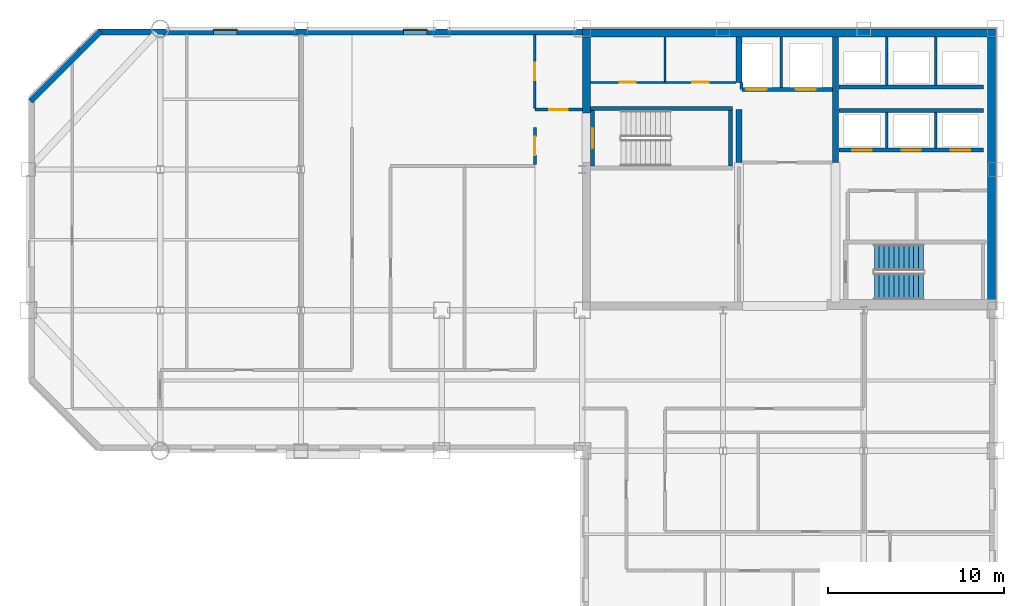
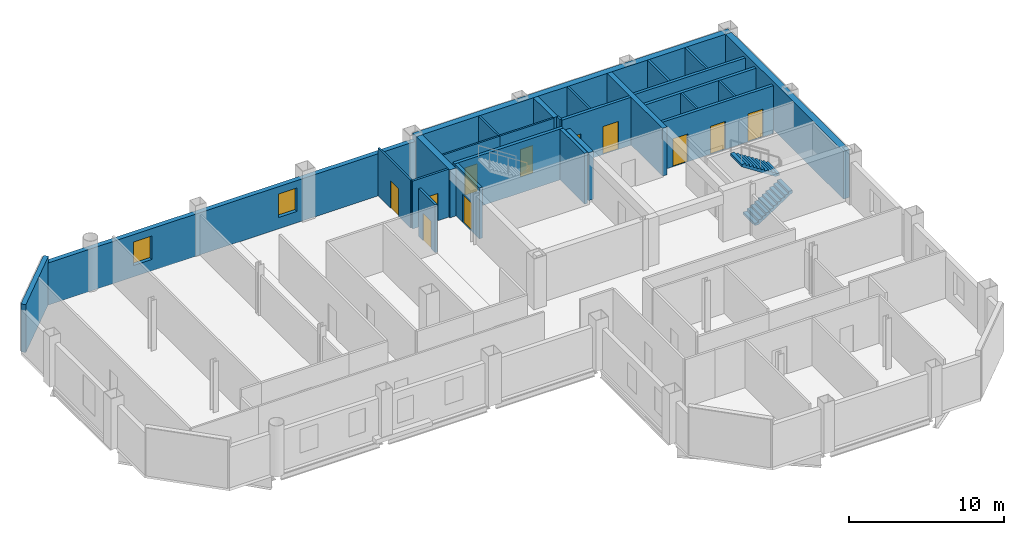
# One storey, part 6 of 11: 27 walls, 11 doors, 2 stair flights, 2 windows, 13 openings, 1 element without a shape of its own.
"""IFC4 building model written with IfcOpenShell, lengths in metres."""

from ifc_helpers import new_model, si_unit, direction, frame, frame_2d, origin, place, context, subcontext, project, spatial, polyline, rectangle, outline, extrude, material, layer, layer_set, type_object, element, fill, aggregate, save


model = new_model("IFC4")

# Units and contexts
model_context = context("Model", 3, precision=1e-05, world=origin(), true_north=direction((0.0, 1.0)))
body_context = subcontext(model_context, "Body", "Model", "MODEL_VIEW")
ifc_project = project(units=[si_unit("LENGTHUNIT", "METRE"), si_unit("AREAUNIT", "SQUARE_METRE"), si_unit("VOLUMEUNIT", "CUBIC_METRE"), si_unit("PLANEANGLEUNIT", "RADIAN"), si_unit("MASSUNIT", "GRAM", prefix="KILO")], contexts=[model_context])

# Site, building, storey
site_placement = place(None, origin())
site = spatial("IfcSite", under=ifc_project, at=site_placement, CompositionType="ELEMENT")
building_placement = place(site_placement, origin())
building = spatial("IfcBuilding", under=site, at=building_placement, Name="Qianrong Seaharbour Tower", CompositionType="ELEMENT")
storey_placement = place(building_placement, frame((0.0, 0.0, 265.800048828125)))
storey = spatial("IfcBuildingStorey", under=building, at=storey_placement, Name="L64", CompositionType="ELEMENT", Elevation=265.800048828125)

# Walls
ifc_material_1 = material(Name="Concrete C60/75", Category="concrete")
ifc_layer_1 = layer(ifc_material_1, 0.4599609375)
ifc_layer_set_1 = layer_set([ifc_layer_1], Name="Concrete C60/75")
wall_type_1 = type_object("IfcWallType", Name="WALL-CORE-460", PredefinedType="SHEAR", material=ifc_layer_set_1)
wall_1_placement = place(storey_placement, frame((40.5, 51.77001953125, 0.0), z_axis=(0.0, 0.0, 1.0), x_axis=(1.0, 0.0, 0.0)))
element("IfcWall", 1, at=wall_1_placement, inside=storey, type_object=wall_type_1, Name="L64 North Core Shear Wall", PredefinedType="SHEAR", context=body_context, shape_type="SweptSolid", body=[
    extrude(rectangle(XDim=23.5, YDim=0.4599609375, at=frame_2d((11.75, 0.0))), origin(), (0.0, 0.0, 1.0), 3.77490234375),
])
wall_2_placement = place(storey_placement, frame((63.77001953125, 36.320068359375, 0.0), z_axis=(0.0, 0.0, 1.0), x_axis=(0.0, 1.0, 0.0)))
element("IfcWall", 2, at=wall_2_placement, inside=storey, type_object=wall_type_1, Name="L64 East Core Shear Wall", PredefinedType="SHEAR", context=body_context, shape_type="SweptSolid", body=[
    extrude(rectangle(XDim=15.219970703125, YDim=0.4599609375, at=frame_2d((7.60986328125, 0.0))), origin(), (0.0, 0.0, 1.0), 3.77490234375),
])
wall_3_placement = place(storey_placement, frame((40.72998046875, 47.199951171875, 0.0), z_axis=(0.0, 0.0, 1.0), x_axis=(0.0, 1.0, 0.0)))
element("IfcWall", 3, at=wall_3_placement, inside=storey, type_object=wall_type_1, Name="L64 West Core Shear Wall North", PredefinedType="SHEAR", context=body_context, shape_type="SweptSolid", body=[
    extrude(rectangle(XDim=4.340087890625, YDim=0.4599609375, at=frame_2d((2.169921875, 0.0))), origin(), (0.0, 0.0, 1.0), 3.77490234375),
])
ifc_material_2 = material(Name="Concrete C50/60", Category="concrete")
ifc_layer_2 = layer(ifc_material_2, 0.35009765625)
ifc_layer_set_2 = layer_set([ifc_layer_2], Name="Concrete C50/60")
wall_type_2 = type_object("IfcWallType", Name="WALL-CORE-INT-350", PredefinedType="SHEAR", material=ifc_layer_set_2)
wall_4_placement = place(storey_placement, frame((49.39990234375, 44.39990234375, 0.0), z_axis=(0.0, 0.0, 1.0), x_axis=(0.0, 1.0, 0.0)))
element("IfcWall", 4, at=wall_4_placement, inside=storey, type_object=wall_type_2, Name="L64 Internal Core Shear Wall IW1N1", PredefinedType="SHEAR", context=body_context, shape_type="SweptSolid", body=[
    extrude(rectangle(XDim=3.0, YDim=0.35009765625, at=frame_2d((1.5, 0.0))), origin(), (0.0, 0.0, 1.0), 3.77490234375),
])
wall_5_placement = place(storey_placement, frame((49.39990234375, 48.949951171875, 0.0), z_axis=(0.0, 0.0, 1.0), x_axis=(0.0, 1.0, 0.0)))
element("IfcWall", 5, at=wall_5_placement, inside=storey, type_object=wall_type_2, Name="L64 Internal Core Shear Wall IW1N2", PredefinedType="SHEAR", context=body_context, shape_type="SweptSolid", body=[
    extrude(rectangle(XDim=2.590087890625, YDim=0.35009765625, at=frame_2d((1.294921875, 0.0))), origin(), (0.0, 0.0, 1.0), 3.77490234375),
])
wall_6_placement = place(storey_placement, frame((54.89990234375, 44.39990234375, 0.0), z_axis=(0.0, 0.0, 1.0), x_axis=(0.0, 1.0, 0.0)))
element("IfcWall", 6, at=wall_6_placement, inside=storey, type_object=wall_type_2, Name="L64 Internal Core Shear Wall IW2N", PredefinedType="SHEAR", context=body_context, shape_type="SweptSolid", body=[
    extrude(rectangle(XDim=7.14013671875, YDim=0.35009765625, at=frame_2d((3.570068359375, 0.0))), origin(), (0.0, 0.0, 1.0), 3.77490234375),
])

# Wall, opening, door
ifc_material_3 = material(Name="Fire-rated acoustic gypsum board partition")
ifc_layer_3 = layer(ifc_material_3, 0.1650390625)
ifc_layer_set_3 = layer_set([ifc_layer_3], Name="Fire-rated acoustic gypsum board partition")
wall_type_3 = type_object("IfcWallType", Name="WALL-CORR-PART-165", PredefinedType="PARTITIONING", material=ifc_layer_set_3)
wall_7_placement = place(storey_placement, frame((37.800048828125, 47.39990234375, 0.0), z_axis=(0.0, 0.0, 1.0), x_axis=(1.0, 0.0, 0.0)))
wall_7 = element("IfcWall", 7, at=wall_7_placement, inside=storey, type_object=wall_type_3, Name="L64 Interior Partition Wall 001", PredefinedType="PARTITIONING", context=body_context, shape_type="SweptSolid", body=[
    extrude(rectangle(XDim=2.699951171875, YDim=0.1650390625, at=frame_2d((1.35009765625, 0.0))), origin(), (0.0, 0.0, 1.0), 3.77490234375),
])
opening_1_placement = place(wall_7_placement, frame((0.824951171875, 0.0, 0.0)))
opening_1 = element("IfcOpeningElement", 8, at=opening_1_placement, cuts=wall_7, Name="Opening DC-01", PredefinedType="OPENING", context=body_context, shape_type="SweptSolid", body=[
    extrude(rectangle(XDim=1.050048828125, YDim=2.14990234375, at=frame_2d((0.52490234375, 1.074951171875))), frame((0.0, 0.092529296875, 0.0), z_axis=(0.0, -1.0, 0.0), x_axis=(1.0, 0.0, 0.0)), (0.0, 0.0, 1.0), 0.18505859375),
])
ifc_material_4 = material(Name="Acoustic timber and galvanized steel fire door assembly", Category="steel")
door_type_1 = type_object("IfcDoorType", Name="DOOR-CORR-FD60-1050x2150", OperationType="NOTDEFINED", PredefinedType="DOOR", material=ifc_material_4)
door_1_placement = place(opening_1_placement, origin())
door_1 = element("IfcDoor", 9, at=door_1_placement, inside=storey, type_object=door_type_1, Name="L64 Smokeproof Stair Vestibule ST-1 Door", OperationType="SINGLE_SWING_RIGHT", OverallHeight=2.14990234375, OverallWidth=1.050048828125, PredefinedType="DOOR", context=body_context, shape_type="SweptSolid", body=[
    extrude(rectangle(XDim=1.050048828125, YDim=2.14990234375, at=frame_2d((0.52490234375, 1.074951171875))), frame((0.0, 0.02490234375, 0.0), z_axis=(0.0, -1.0, 0.0), x_axis=(1.0, 0.0, 0.0)), (0.0, 0.0, 1.0), 0.050048828125),
])
fill(opening_1, door_1)

wall_8_placement = place(storey_placement, frame((37.800048828125, 44.2744140625, 0.0), z_axis=(0.0, 0.0, 1.0), x_axis=(0.0, 1.0, 0.0)))
wall_8 = element("IfcWall", 10, at=wall_8_placement, inside=storey, type_object=wall_type_3, Name="L64 Interior Partition Wall 002", PredefinedType="PARTITIONING", context=body_context, shape_type="SweptSolid", body=[
    extrude(rectangle(XDim=2.12548828125, YDim=0.1650390625, at=frame_2d((1.062744140625, 0.0))), origin(), (0.0, 0.0, 1.0), 3.77490234375),
])
opening_2_placement = place(wall_8_placement, frame((0.537841796875, 0.0, 0.0)))
opening_2 = element("IfcOpeningElement", 11, at=opening_2_placement, cuts=wall_8, Name="Opening DC-01", PredefinedType="OPENING", context=body_context, shape_type="SweptSolid", body=[
    extrude(rectangle(XDim=1.050048828125, YDim=2.14990234375, at=frame_2d((0.52490234375, 1.074951171875))), frame((0.0, 0.092529296875, 0.0), z_axis=(0.0, -1.0, 0.0), x_axis=(1.0, 0.0, 0.0)), (0.0, 0.0, 1.0), 0.18505859375),
])
door_2_placement = place(opening_2_placement, origin())
door_2 = element("IfcDoor", 12, at=door_2_placement, inside=storey, type_object=door_type_1, Name="L64 Smokeproof Stair Vestibule ST-1 Door", OperationType="SINGLE_SWING_LEFT", OverallHeight=2.14990234375, OverallWidth=1.050048828125, PredefinedType="DOOR", context=body_context, shape_type="SweptSolid", body=[
    extrude(rectangle(XDim=1.050048828125, YDim=2.14990234375, at=frame_2d((0.52490234375, 1.074951171875))), frame((0.0, 0.02490234375, 0.0), z_axis=(0.0, -1.0, 0.0), x_axis=(1.0, 0.0, 0.0)), (0.0, 0.0, 1.0), 0.050048828125),
])
fill(opening_2, door_2)

# Wall
ifc_material_5 = material(Name="Unitised buff brick on Precast concrete C45/55", Category="masonry")
ifc_layer_4 = layer(ifc_material_5, 0.340087890625)
ifc_layer_set_4 = layer_set([ifc_layer_4], Name="Unitised buff brick on Precast concrete C45/55")
wall_type_4 = type_object("IfcWallType", Name="WALL-EXT-BRICK-BUFF-340", PredefinedType="SOLIDWALL", material=ifc_layer_set_4)
wall_9_placement = place(storey_placement, frame((9.1201171875, 47.8798828125, 0.0), z_axis=(0.0, 0.0, 1.0), x_axis=(0.707106781187, 0.707106781187, 0.0)))
element("IfcWall", 13, at=wall_9_placement, inside=storey, type_object=wall_type_4, Name="L64 Exterior Masonry Facade Wall E04", PredefinedType="SOLIDWALL", context=body_context, shape_type="SweptSolid", body=[
    extrude(rectangle(XDim=5.65673828125, YDim=0.340087890625, at=frame_2d((2.828369140625, 0.0))), origin(), (0.0, 0.0, 1.0), 3.77490234375),
])

# Wall, openings, windows
wall_10_placement = place(storey_placement, frame((13.0, 51.830078125, 0.0), z_axis=(0.0, 0.0, 1.0), x_axis=(1.0, 0.0, 0.0)))
wall_10 = element("IfcWall", 14, at=wall_10_placement, inside=storey, type_object=wall_type_4, Name="L64 Exterior Masonry Facade Wall NORTH_WING", PredefinedType="SOLIDWALL", context=body_context, shape_type="SweptSolid", body=[
    extrude(rectangle(XDim=27.52001953125, YDim=0.340087890625, at=frame_2d((13.760009765625, 0.0))), origin(), (0.0, 0.0, 1.0), 3.324951171875),
])
opening_3_placement = place(wall_10_placement, frame((6.52490234375, 0.0, 0.89990234375)))
opening_3 = element("IfcOpeningElement", 15, at=opening_3_placement, cuts=wall_10, Name="Opening WN-02", PredefinedType="OPENING", context=body_context, shape_type="SweptSolid", body=[
    extrude(rectangle(XDim=1.35009765625, YDim=1.85009765625, at=frame_2d((0.675048828125, 0.925048828125))), frame((0.0, 0.18017578125, 0.0), z_axis=(0.0, -1.0, 0.0), x_axis=(1.0, 0.0, 0.0)), (0.0, 0.0, 1.0), 0.360107421875),
])
opening_4_placement = place(wall_10_placement, frame((17.324951171875, 0.0, 0.89990234375)))
opening_4 = element("IfcOpeningElement", 16, at=opening_4_placement, cuts=wall_10, Name="Opening WN-02", PredefinedType="OPENING", context=body_context, shape_type="SweptSolid", body=[
    extrude(rectangle(XDim=1.35009765625, YDim=1.85009765625, at=frame_2d((0.675048828125, 0.925048828125))), frame((0.0, 0.18017578125, 0.0), z_axis=(0.0, -1.0, 0.0), x_axis=(1.0, 0.0, 0.0)), (0.0, 0.0, 1.0), 0.360107421875),
])
ifc_material_6 = material(Name="Insulated low-e double glazing in thermally broken aluminium 6063-T6 frame", Category="aluminium")
window_type = type_object("IfcWindowType", Name="WIN-PUNCH-1350x1850", PartitioningType="DOUBLE_PANEL_VERTICAL", PredefinedType="WINDOW", material=ifc_material_6)
window_1_placement = place(opening_3_placement, origin())
window_1 = element("IfcWindow", 17, at=window_1_placement, inside=storey, type_object=window_type, Name="L64 Deep-Set Punched Window 05.02", OverallHeight=1.85009765625, OverallWidth=1.35009765625, PartitioningType="DOUBLE_PANEL_VERTICAL", PredefinedType="WINDOW", context=body_context, shape_type="SweptSolid", body=[
    extrude(rectangle(XDim=1.35009765625, YDim=1.85009765625, at=frame_2d((0.675048828125, 0.925048828125))), frame((0.0, 0.150146484375, 0.0), z_axis=(0.0, -1.0, 0.0), x_axis=(1.0, 0.0, 0.0)), (0.0, 0.0, 1.0), 0.06005859375),
])
fill(opening_3, window_1)
window_2_placement = place(opening_4_placement, origin())
window_2 = element("IfcWindow", 18, at=window_2_placement, inside=storey, type_object=window_type, Name="L64 Deep-Set Punched Window 05.05", OverallHeight=1.85009765625, OverallWidth=1.35009765625, PartitioningType="DOUBLE_PANEL_VERTICAL", PredefinedType="WINDOW", context=body_context, shape_type="SweptSolid", body=[
    extrude(rectangle(XDim=1.35009765625, YDim=1.85009765625, at=frame_2d((0.675048828125, 0.925048828125))), frame((0.0, 0.150146484375, 0.0), z_axis=(0.0, -1.0, 0.0), x_axis=(1.0, 0.0, 0.0)), (0.0, 0.0, 1.0), 0.06005859375),
])
fill(opening_4, window_2)

# Walls
ifc_material_7 = material(Name="Fire-rated gypsum board on steel studs", Category="steel")
ifc_layer_5 = layer(ifc_material_7, 0.14990234375)
ifc_layer_set_5 = layer_set([ifc_layer_5], Name="Fire-rated gypsum board on steel studs")
wall_type_5 = type_object("IfcWallType", Name="WALL-SHAFT-DIV-150", PredefinedType="PARTITIONING", material=ifc_layer_set_5)
wall_11_placement = place(storey_placement, frame((51.800048828125, 48.669921875, 0.0), z_axis=(0.0, 0.0, 1.0), x_axis=(0.0, 1.0, 0.0)))
element("IfcWall", 19, at=wall_11_placement, inside=storey, type_object=wall_type_5, Name="L64 Firefighting Lift Shaft Divider Wall", PredefinedType="PARTITIONING", context=body_context, shape_type="SweptSolid", body=[
    extrude(rectangle(XDim=2.8701171875, YDim=0.14990234375, at=frame_2d((1.43505859375, 0.0))), origin(), (0.0, 0.0, 1.0), 3.77490234375),
])
wall_12_placement = place(storey_placement, frame((49.550048828125, 48.550048828125, 0.0), z_axis=(0.0, 0.0, 1.0), x_axis=(0.0, 1.0, 0.0)))
element("IfcWall", 20, at=wall_12_placement, inside=storey, type_object=wall_type_5, Name="L64 Firefighting Lift Shaft West Return Wall", PredefinedType="PARTITIONING", context=body_context, shape_type="SweptSolid", body=[
    extrude(rectangle(XDim=0.39990234375, YDim=0.14990234375, at=frame_2d((0.199951171875, 0.0))), origin(), (0.0, 0.0, 1.0), 3.77490234375),
])
for number, where, z_axis, x_axis, name in (
    (21, (57.800048828125, 45.2099609375, 0.0), (0.0, 0.0, 1.0), (0.0, 1.0, 0.0), "L64 P3 Lift Hoistway Divider 2"),
    (22, (60.60009765625, 45.2099609375, 0.0), (0.0, 0.0, 1.0), (0.0, 1.0, 0.0), "L64 P3 Lift Hoistway Divider 3"),
):
    element("IfcWall", number, at=place(storey_placement, frame(where, z_axis=z_axis, x_axis=x_axis)), inside=storey, type_object=wall_type_5, Name=name, PredefinedType="PARTITIONING", context=body_context, shape_type="SweptSolid", body=[
        extrude(rectangle(XDim=2.030029296875, YDim=0.14990234375, at=frame_2d((1.01513671875, 0.0))), origin(), (0.0, 0.0, 1.0), 3.77490234375),
    ])
for number, where, z_axis, x_axis, name in (
    (23, (57.800048828125, 48.81005859375, 0.0), (0.0, 0.0, 1.0), (0.0, 1.0, 0.0), "L64 P4 Lift Hoistway Divider 2"),
    (24, (60.60009765625, 48.81005859375, 0.0), (0.0, 0.0, 1.0), (0.0, 1.0, 0.0), "L64 P4 Lift Hoistway Divider 3"),
):
    element("IfcWall", number, at=place(storey_placement, frame(where, z_axis=z_axis, x_axis=x_axis)), inside=storey, type_object=wall_type_5, Name=name, PredefinedType="PARTITIONING", context=body_context, shape_type="SweptSolid", body=[
        extrude(rectangle(XDim=2.72998046875, YDim=0.14990234375, at=frame_2d((1.364990234375, 0.0))), origin(), (0.0, 0.0, 1.0), 3.77490234375),
    ])

# Wall, openings, doors
ifc_layer_6 = layer(ifc_material_7, 0.219970703125)
ifc_layer_set_6 = layer_set([ifc_layer_6], Name="Fire-rated gypsum board on steel studs")
wall_type_6 = type_object("IfcWallType", Name="WALL-SHAFT-GYP220", PredefinedType="PARTITIONING", material=ifc_layer_set_6)
wall_13_placement = place(storey_placement, frame((54.7099609375, 48.550048828125, 0.0), z_axis=(0.0, 0.0, 1.0), x_axis=(-1.0, 0.0, 0.0)))
wall_13 = element("IfcWall", 25, at=wall_13_placement, inside=storey, type_object=wall_type_6, Name="L64 Firefighting Lift Shaft Front Wall", PredefinedType="PARTITIONING", context=body_context, shape_type="SweptSolid", body=[
    extrude(rectangle(XDim=5.119873046875, YDim=0.219970703125, at=frame_2d((2.56005859375, 0.0))), origin(), (0.0, 0.0, 1.0), 3.77490234375),
])
opening_5_placement = place(wall_13_placement, frame((3.735107421875, 0.0, 0.0)))
opening_5 = element("IfcOpeningElement", 26, at=opening_5_placement, cuts=wall_13, Name="Opening LD-01", PredefinedType="OPENING", context=body_context, shape_type="SweptSolid", body=[
    extrude(rectangle(XDim=1.14990234375, YDim=2.199951171875, at=frame_2d((0.574951171875, 1.10009765625))), frame((0.0, 0.1201171875, 0.0), z_axis=(0.0, -1.0, 0.0), x_axis=(1.0, 0.0, 0.0)), (0.0, 0.0, 1.0), 0.239990234375),
])
opening_6_placement = place(wall_13_placement, frame((0.93505859375, 0.0, 0.0)))
opening_6 = element("IfcOpeningElement", 27, at=opening_6_placement, cuts=wall_13, Name="Opening LD-01", PredefinedType="OPENING", context=body_context, shape_type="SweptSolid", body=[
    extrude(rectangle(XDim=1.14990234375, YDim=2.199951171875, at=frame_2d((0.574951171875, 1.10009765625))), frame((0.0, 0.1201171875, 0.0), z_axis=(0.0, -1.0, 0.0), x_axis=(1.0, 0.0, 0.0)), (0.0, 0.0, 1.0), 0.239990234375),
])
ifc_material_8 = material(Name="Stainless steel SUS316L bi-parting lift landing door", Category="steel")
door_type_2 = type_object("IfcDoorType", Name="DOOR-LIFT-FF-1150x2200", OperationType="DOUBLE_DOOR_SLIDING", PredefinedType="DOOR", material=ifc_material_8)
door_3_placement = place(opening_5_placement, origin())
door_3 = element("IfcDoor", 28, at=door_3_placement, inside=storey, type_object=door_type_2, Name="L64 FL-1 Firefighting Lift Landing Door", OperationType="DOUBLE_DOOR_SLIDING", OverallHeight=2.199951171875, OverallWidth=1.14990234375, PredefinedType="DOOR", context=body_context, shape_type="SweptSolid", body=[
    extrude(rectangle(XDim=1.14990234375, YDim=2.199951171875, at=frame_2d((0.574951171875, 1.10009765625))), frame((0.0, 0.02490234375, 0.0), z_axis=(0.0, -1.0, 0.0), x_axis=(1.0, 0.0, 0.0)), (0.0, 0.0, 1.0), 0.050048828125),
])
fill(opening_5, door_3)
door_4_placement = place(opening_6_placement, origin())
door_4 = element("IfcDoor", 29, at=door_4_placement, inside=storey, type_object=door_type_2, Name="L64 FL-2 Firefighting Lift Landing Door", OperationType="DOUBLE_DOOR_SLIDING", OverallHeight=2.199951171875, OverallWidth=1.14990234375, PredefinedType="DOOR", context=body_context, shape_type="SweptSolid", body=[
    extrude(rectangle(XDim=1.14990234375, YDim=2.199951171875, at=frame_2d((0.574951171875, 1.10009765625))), frame((0.0, 0.02490234375, 0.0), z_axis=(0.0, -1.0, 0.0), x_axis=(1.0, 0.0, 0.0)), (0.0, 0.0, 1.0), 0.050048828125),
])
fill(opening_6, door_4)

wall_14_placement = place(storey_placement, frame((63.320068359375, 45.10009765625, 0.0), z_axis=(0.0, 0.0, 1.0), x_axis=(-1.0, 0.0, 0.0)))
wall_14 = element("IfcWall", 30, at=wall_14_placement, inside=storey, type_object=wall_type_6, Name="L64 P3 Lift Hoistway Front Wall", PredefinedType="PARTITIONING", context=body_context, shape_type="SweptSolid", body=[
    extrude(rectangle(XDim=8.239990234375, YDim=0.219970703125, at=frame_2d((4.1201171875, 0.0))), origin(), (0.0, 0.0, 1.0), 3.77490234375),
])
opening_7_placement = place(wall_14_placement, frame((6.3701171875, 0.0, 0.0)))
opening_7 = element("IfcOpeningElement", 31, at=opening_7_placement, cuts=wall_14, Name="Opening LD-02", PredefinedType="OPENING", context=body_context, shape_type="SweptSolid", body=[
    extrude(rectangle(XDim=1.10009765625, YDim=2.199951171875, at=frame_2d((0.550048828125, 1.10009765625))), frame((0.0, 0.1201171875, 0.0), z_axis=(0.0, -1.0, 0.0), x_axis=(1.0, 0.0, 0.0)), (0.0, 0.0, 1.0), 0.239990234375),
])
opening_8_placement = place(wall_14_placement, frame((3.570068359375, 0.0, 0.0)))
opening_8 = element("IfcOpeningElement", 32, at=opening_8_placement, cuts=wall_14, Name="Opening LD-02", PredefinedType="OPENING", context=body_context, shape_type="SweptSolid", body=[
    extrude(rectangle(XDim=1.10009765625, YDim=2.199951171875, at=frame_2d((0.550048828125, 1.10009765625))), frame((0.0, 0.1201171875, 0.0), z_axis=(0.0, -1.0, 0.0), x_axis=(1.0, 0.0, 0.0)), (0.0, 0.0, 1.0), 0.239990234375),
])
opening_9_placement = place(wall_14_placement, frame((0.77001953125, 0.0, 0.0)))
opening_9 = element("IfcOpeningElement", 33, at=opening_9_placement, cuts=wall_14, Name="Opening LD-02", PredefinedType="OPENING", context=body_context, shape_type="SweptSolid", body=[
    extrude(rectangle(XDim=1.10009765625, YDim=2.199951171875, at=frame_2d((0.550048828125, 1.10009765625))), frame((0.0, 0.1201171875, 0.0), z_axis=(0.0, -1.0, 0.0), x_axis=(1.0, 0.0, 0.0)), (0.0, 0.0, 1.0), 0.239990234375),
])
door_type_3 = type_object("IfcDoorType", Name="DOOR-LIFT-PASS-1100x2200", OperationType="DOUBLE_DOOR_SLIDING", PredefinedType="DOOR", material=ifc_material_8)
door_5_placement = place(opening_7_placement, origin())
door_5 = element("IfcDoor", 34, at=door_5_placement, inside=storey, type_object=door_type_3, Name="L64 PL-3A Lift Landing Door", OperationType="DOUBLE_DOOR_SLIDING", OverallHeight=2.199951171875, OverallWidth=1.10009765625, PredefinedType="DOOR", context=body_context, shape_type="SweptSolid", body=[
    extrude(rectangle(XDim=1.10009765625, YDim=2.199951171875, at=frame_2d((0.550048828125, 1.10009765625))), frame((0.0, 0.02490234375, 0.0), z_axis=(0.0, -1.0, 0.0), x_axis=(1.0, 0.0, 0.0)), (0.0, 0.0, 1.0), 0.050048828125),
])
fill(opening_7, door_5)
door_6_placement = place(opening_8_placement, origin())
door_6 = element("IfcDoor", 35, at=door_6_placement, inside=storey, type_object=door_type_3, Name="L64 PL-3B Lift Landing Door", OperationType="DOUBLE_DOOR_SLIDING", OverallHeight=2.199951171875, OverallWidth=1.10009765625, PredefinedType="DOOR", context=body_context, shape_type="SweptSolid", body=[
    extrude(rectangle(XDim=1.10009765625, YDim=2.199951171875, at=frame_2d((0.550048828125, 1.10009765625))), frame((0.0, 0.02490234375, 0.0), z_axis=(0.0, -1.0, 0.0), x_axis=(1.0, 0.0, 0.0)), (0.0, 0.0, 1.0), 0.050048828125),
])
fill(opening_8, door_6)
door_7_placement = place(opening_9_placement, origin())
door_7 = element("IfcDoor", 36, at=door_7_placement, inside=storey, type_object=door_type_3, Name="L64 PL-3C Lift Landing Door", OperationType="DOUBLE_DOOR_SLIDING", OverallHeight=2.199951171875, OverallWidth=1.10009765625, PredefinedType="DOOR", context=body_context, shape_type="SweptSolid", body=[
    extrude(rectangle(XDim=1.10009765625, YDim=2.199951171875, at=frame_2d((0.550048828125, 1.10009765625))), frame((0.0, 0.02490234375, 0.0), z_axis=(0.0, -1.0, 0.0), x_axis=(1.0, 0.0, 0.0)), (0.0, 0.0, 1.0), 0.050048828125),
])
fill(opening_9, door_7)

# Walls
for number, where, z_axis, x_axis, name in (
    (37, (55.080078125, 47.35009765625, 0.0), (0.0, 0.0, 1.0), (1.0, 0.0, 0.0), "L64 P3 Lift Hoistway Back Wall"),
    (38, (63.320068359375, 48.699951171875, 0.0), (0.0, 0.0, 1.0), (-1.0, 0.0, 0.0), "L64 P4 Lift Hoistway Front Wall"),
):
    element("IfcWall", number, at=place(storey_placement, frame(where, z_axis=z_axis, x_axis=x_axis)), inside=storey, type_object=wall_type_6, Name=name, PredefinedType="PARTITIONING", context=body_context, shape_type="SweptSolid", body=[
        extrude(rectangle(XDim=8.239990234375, YDim=0.219970703125, at=frame_2d((4.1201171875, 0.0))), origin(), (0.0, 0.0, 1.0), 3.77490234375),
    ])
ifc_layer_7 = layer(ifc_material_2, 0.239990234375)
ifc_layer_set_7 = layer_set([ifc_layer_7], Name="Concrete C50/60")
wall_type_7 = type_object("IfcWallType", Name="WALL-SHAFT-RC240", PredefinedType="SOLIDWALL", material=ifc_layer_set_7)
wall_15_placement = place(storey_placement, frame((40.9599609375, 47.469970703125, 0.0), z_axis=(0.0, 0.0, 1.0), x_axis=(1.0, 0.0, 0.0)))
element("IfcWall", 39, at=wall_15_placement, inside=storey, type_object=wall_type_7, Name="L64 ST-1 Structural Stair Core Wall N", PredefinedType="SOLIDWALL", context=body_context, shape_type="SweptSolid", body=[
    extrude(rectangle(XDim=8.080078125, YDim=0.239990234375, at=frame_2d((4.0400390625, 0.0))), origin(), (0.0, 0.0, 1.0), 4.0),
])

# Wall, opening, door
wall_16_placement = place(storey_placement, frame((41.080078125, 47.35009765625, 0.0), z_axis=(0.0, 0.0, 1.0), x_axis=(0.0, -1.0, 0.0)))
wall_16 = element("IfcWall", 40, at=wall_16_placement, inside=storey, type_object=wall_type_7, Name="L64 ST-1 Structural Stair Core Wall W", PredefinedType="SOLIDWALL", context=body_context, shape_type="SweptSolid", body=[
    extrude(rectangle(XDim=3.150146484375, YDim=0.239990234375, at=frame_2d((1.5751953125, 0.0))), origin(), (0.0, 0.0, 1.0), 4.0),
])
opening_10_placement = place(wall_16_placement, frame((1.0, 0.0, 0.0)))
opening_10 = element("IfcOpeningElement", 41, at=opening_10_placement, cuts=wall_16, Name="Opening SD-01", PredefinedType="OPENING", context=body_context, shape_type="SweptSolid", body=[
    extrude(rectangle(XDim=1.14990234375, YDim=2.199951171875, at=frame_2d((0.574951171875, 1.10009765625))), frame((0.0, 0.1298828125, 0.0), z_axis=(0.0, -1.0, 0.0), x_axis=(1.0, 0.0, 0.0)), (0.0, 0.0, 1.0), 0.260009765625),
])
door_type_4 = type_object("IfcDoorType", Name="DOOR-STAIR-FD60-1150x2200", OperationType="NOTDEFINED", PredefinedType="DOOR", material=ifc_material_4)
door_8_placement = place(opening_10_placement, origin())
door_8 = element("IfcDoor", 42, at=door_8_placement, inside=storey, type_object=door_type_4, Name="L64 ST-1 Protected Stair Door", OperationType="SINGLE_SWING_LEFT", OverallHeight=2.199951171875, OverallWidth=1.14990234375, PredefinedType="DOOR", context=body_context, shape_type="SweptSolid", body=[
    extrude(rectangle(XDim=1.14990234375, YDim=2.199951171875, at=frame_2d((0.574951171875, 1.10009765625))), frame((0.0, 0.02490234375, 0.0), z_axis=(0.0, -1.0, 0.0), x_axis=(1.0, 0.0, 0.0)), (0.0, 0.0, 1.0), 0.050048828125),
])
fill(opening_10, door_8)

# Wall
wall_17_placement = place(storey_placement, frame((48.919921875, 44.199951171875, 0.0), z_axis=(0.0, 0.0, 1.0), x_axis=(0.0, 1.0, 0.0)))
element("IfcWall", 43, at=wall_17_placement, inside=storey, type_object=wall_type_7, Name="L64 ST-1 Structural Stair Core Wall E", PredefinedType="SOLIDWALL", context=body_context, shape_type="SweptSolid", body=[
    extrude(rectangle(XDim=3.150146484375, YDim=0.239990234375, at=frame_2d((1.5751953125, 0.0))), origin(), (0.0, 0.0, 1.0), 4.0),
])

# Wall, opening, door
ifc_material_9 = material(Name="Water-resistant cement board sanitary partition")
ifc_layer_8 = layer(ifc_material_9, 0.1298828125)
ifc_layer_set_8 = layer_set([ifc_layer_8], Name="Water-resistant cement board sanitary partition")
wall_type_8 = type_object("IfcWallType", Name="WALL-WET-PART-130", PredefinedType="PARTITIONING", material=ifc_layer_set_8)
wall_18_placement = place(storey_placement, frame((37.800048828125, 47.474609375, 0.0), z_axis=(0.0, 0.0, 1.0), x_axis=(0.0, 1.0, 0.0)))
wall_18 = element("IfcWall", 44, at=wall_18_placement, inside=storey, type_object=wall_type_8, Name="L64 Interior Partition Wall 003", PredefinedType="PARTITIONING", context=body_context, shape_type="SweptSolid", body=[
    extrude(rectangle(XDim=4.193359375, YDim=0.1298828125, at=frame_2d((2.0966796875, 0.0))), origin(), (0.0, 0.0, 1.0), 3.77490234375),
])
opening_11_placement = place(wall_18_placement, frame((1.5869140625, 0.0, 0.0)))
opening_11 = element("IfcOpeningElement", 45, at=opening_11_placement, cuts=wall_18, Name="Opening DAW-01", PredefinedType="OPENING", context=body_context, shape_type="SweptSolid", body=[
    extrude(rectangle(XDim=1.02001953125, YDim=2.14990234375, at=frame_2d((0.510009765625, 1.074951171875))), frame((0.0, 0.074951171875, 0.0), z_axis=(0.0, -1.0, 0.0), x_axis=(1.0, 0.0, 0.0)), (0.0, 0.0, 1.0), 0.14990234375),
])
door_type_5 = type_object("IfcDoorType", Name="DOOR-AWC-SLIDE-1020x2150", OperationType="SLIDING_TO_LEFT", PredefinedType="DOOR", material=ifc_material_4)
door_9_placement = place(opening_11_placement, origin())
door_9 = element("IfcDoor", 46, at=door_9_placement, inside=storey, type_object=door_type_5, Name="L64 Accessible Restroom WC Door", OperationType="SLIDING_TO_LEFT", OverallHeight=2.14990234375, OverallWidth=1.02001953125, PredefinedType="DOOR", context=body_context, shape_type="SweptSolid", body=[
    extrude(rectangle(XDim=1.02001953125, YDim=2.14990234375, at=frame_2d((0.510009765625, 1.074951171875))), frame((0.0, 0.02490234375, 0.0), z_axis=(0.0, -1.0, 0.0), x_axis=(1.0, 0.0, 0.0)), (0.0, 0.0, 1.0), 0.050048828125),
])
fill(opening_11, door_9)

wall_19_placement = place(storey_placement, frame((40.9599609375, 48.949951171875, 0.0), z_axis=(0.0, 0.0, 1.0), x_axis=(1.0, 0.0, 0.0)))
wall_19 = element("IfcWall", 47, at=wall_19_placement, inside=storey, type_object=wall_type_8, Name="L64 Interior Partition Wall 004", PredefinedType="PARTITIONING", context=body_context, shape_type="SweptSolid", body=[
    extrude(rectangle(XDim=4.239990234375, YDim=0.1298828125, at=frame_2d((2.1201171875, 0.0))), origin(), (0.0, 0.0, 1.0), 3.77490234375),
])
opening_12_placement = place(wall_19_placement, frame((1.659912109375, 0.0, 0.0)))
opening_12 = element("IfcOpeningElement", 48, at=opening_12_placement, cuts=wall_19, Name="Opening DW-01", PredefinedType="OPENING", context=body_context, shape_type="SweptSolid", body=[
    extrude(rectangle(XDim=0.919921875, YDim=2.14990234375, at=frame_2d((0.4599609375, 1.074951171875))), frame((0.0, 0.074951171875, 0.0), z_axis=(0.0, -1.0, 0.0), x_axis=(1.0, 0.0, 0.0)), (0.0, 0.0, 1.0), 0.14990234375),
])
door_type_6 = type_object("IfcDoorType", Name="DOOR-WC-920x2150", OperationType="NOTDEFINED", PredefinedType="DOOR", material=ifc_material_4)
door_10_placement = place(opening_12_placement, origin())
door_10 = element("IfcDoor", 49, at=door_10_placement, inside=storey, type_object=door_type_6, Name="L64 Male Restroom WC Door", OperationType="SINGLE_SWING_LEFT", OverallHeight=2.14990234375, OverallWidth=0.919921875, PredefinedType="DOOR", context=body_context, shape_type="SweptSolid", body=[
    extrude(rectangle(XDim=0.919921875, YDim=2.14990234375, at=frame_2d((0.4599609375, 1.074951171875))), frame((0.0, 0.02490234375, 0.0), z_axis=(0.0, -1.0, 0.0), x_axis=(1.0, 0.0, 0.0)), (0.0, 0.0, 1.0), 0.050048828125),
])
fill(opening_12, door_10)

wall_20_placement = place(storey_placement, frame((45.199951171875, 48.949951171875, 0.0), z_axis=(0.0, 0.0, 1.0), x_axis=(1.0, 0.0, 0.0)))
wall_20 = element("IfcWall", 50, at=wall_20_placement, inside=storey, type_object=wall_type_8, Name="L64 Interior Partition Wall 005", PredefinedType="PARTITIONING", context=body_context, shape_type="SweptSolid", body=[
    extrude(rectangle(XDim=4.032958984375, YDim=0.1298828125, at=frame_2d((2.0166015625, 0.0))), origin(), (0.0, 0.0, 1.0), 3.77490234375),
])
opening_13_placement = place(wall_20_placement, frame((1.556396484375, 0.0, 0.0)))
opening_13 = element("IfcOpeningElement", 51, at=opening_13_placement, cuts=wall_20, Name="Opening DW-01", PredefinedType="OPENING", context=body_context, shape_type="SweptSolid", body=[
    extrude(rectangle(XDim=0.919921875, YDim=2.14990234375, at=frame_2d((0.4599609375, 1.074951171875))), frame((0.0, 0.074951171875, 0.0), z_axis=(0.0, -1.0, 0.0), x_axis=(1.0, 0.0, 0.0)), (0.0, 0.0, 1.0), 0.14990234375),
])
door_11_placement = place(opening_13_placement, origin())
door_11 = element("IfcDoor", 52, at=door_11_placement, inside=storey, type_object=door_type_6, Name="L64 Female Restroom WC Door", OperationType="SINGLE_SWING_RIGHT", OverallHeight=2.14990234375, OverallWidth=0.919921875, PredefinedType="DOOR", context=body_context, shape_type="SweptSolid", body=[
    extrude(rectangle(XDim=0.919921875, YDim=2.14990234375, at=frame_2d((0.4599609375, 1.074951171875))), frame((0.0, 0.02490234375, 0.0), z_axis=(0.0, -1.0, 0.0), x_axis=(1.0, 0.0, 0.0)), (0.0, 0.0, 1.0), 0.050048828125),
])
fill(opening_13, door_11)

# Wall
wall_21_placement = place(storey_placement, frame((45.199951171875, 51.5400390625, 0.0), z_axis=(0.0, 0.0, 1.0), x_axis=(0.0, -1.0, 0.0)))
element("IfcWall", 53, at=wall_21_placement, inside=storey, type_object=wall_type_8, Name="L64 Interior Partition Wall 011", PredefinedType="PARTITIONING", context=body_context, shape_type="SweptSolid", body=[
    extrude(rectangle(XDim=2.532958984375, YDim=0.1298828125, at=frame_2d((1.2666015625, 0.0))), origin(), (0.0, 0.0, 1.0), 3.77490234375),
])

# Stair, stair flights
stair_type = type_object("IfcStairType", Name="STAIR-DOGLEG-1500-R22", PredefinedType="HALF_TURN_STAIR", material=ifc_material_2)
stair_placement = place(storey_placement, origin())
stair = element("IfcStair", 54, at=stair_placement, inside=storey, type_object=stair_type, Name="L64 Protected Escape Stair ST-2", PredefinedType="HALF_TURN_STAIR")
stair_flight_type = type_object("IfcStairFlightType", Name="FLIGHT-STR-1500-R22", PredefinedType="STRAIGHT", material=ifc_material_2)
stair_flight_1_placement = place(storey_placement, frame((57.10009765625, 37.35009765625, 0.0), z_axis=(0.0, 0.0, 1.0), x_axis=(1.0, 0.0, 0.0)))
stair_flight_1 = element("IfcStairFlight", 55, at=stair_flight_1_placement, type_object=stair_flight_type, Name="ST-2 flight 1", NumberOfRisers=11, NumberOfTreads=10, PredefinedType="STRAIGHT", RiserHeight=0.181818182, TreadLength=0.28, context=body_context, shape_type="SweptSolid", body=[
    extrude(outline(polyline([(0.0, 0.0), (0.0, 0.181884765625), (0.280029296875, 0.181884765625), (0.280029296875, 0.363525390625), (0.56005859375, 0.363525390625), (0.56005859375, 0.54541015625), (0.840087890625, 0.54541015625), (0.840087890625, 0.727294921875), (1.1201171875, 0.727294921875), (1.1201171875, 0.9091796875), (1.39990234375, 0.9091796875), (1.39990234375, 1.0908203125), (1.679931640625, 1.0908203125), (1.679931640625, 1.272705078125), (1.9599609375, 1.272705078125), (1.9599609375, 1.45458984375), (2.239990234375, 1.45458984375), (2.239990234375, 1.636474609375), (2.52001953125, 1.636474609375), (2.52001953125, 1.818115234375), (2.800048828125, 1.818115234375), (2.800048828125, 2.0), (2.800048828125, 1.62744140625), (0.293701171875, 0.0), (0.0, 0.0)])), frame((0.0, 0.75, 0.0), z_axis=(0.0, -1.0, 0.0), x_axis=(1.0, 0.0, 0.0)), (0.0, 0.0, 1.0), 1.5),
])
stair_flight_2_placement = place(storey_placement, frame((59.89990234375, 39.0, 2.0), z_axis=(0.0, 0.0, 1.0), x_axis=(-1.0, 0.0, 0.0)))
stair_flight_2 = element("IfcStairFlight", 56, at=stair_flight_2_placement, type_object=stair_flight_type, Name="ST-2 flight 2", NumberOfRisers=11, NumberOfTreads=10, PredefinedType="STRAIGHT", RiserHeight=0.181818182, TreadLength=0.28, context=body_context, shape_type="SweptSolid", body=[
    extrude(outline(polyline([(0.0, 0.0), (0.0, 0.181884765625), (0.280029296875, 0.181884765625), (0.280029296875, 0.363525390625), (0.56005859375, 0.363525390625), (0.56005859375, 0.54541015625), (0.840087890625, 0.54541015625), (0.840087890625, 0.727294921875), (1.1201171875, 0.727294921875), (1.1201171875, 0.9091796875), (1.39990234375, 0.9091796875), (1.39990234375, 1.0908203125), (1.679931640625, 1.0908203125), (1.679931640625, 1.272705078125), (1.9599609375, 1.272705078125), (1.9599609375, 1.45458984375), (2.239990234375, 1.45458984375), (2.239990234375, 1.636474609375), (2.52001953125, 1.636474609375), (2.52001953125, 1.818115234375), (2.800048828125, 1.818115234375), (2.800048828125, 2.0), (2.800048828125, 1.62744140625), (0.293701171875, 0.0), (0.0, 0.0)])), frame((0.0, 0.75, 0.0), z_axis=(0.0, -1.0, 0.0), x_axis=(1.0, 0.0, 0.0)), (0.0, 0.0, 1.0), 1.5),
])
aggregate(stair, [stair_flight_1, stair_flight_2])

save(model, "model.ifc")
